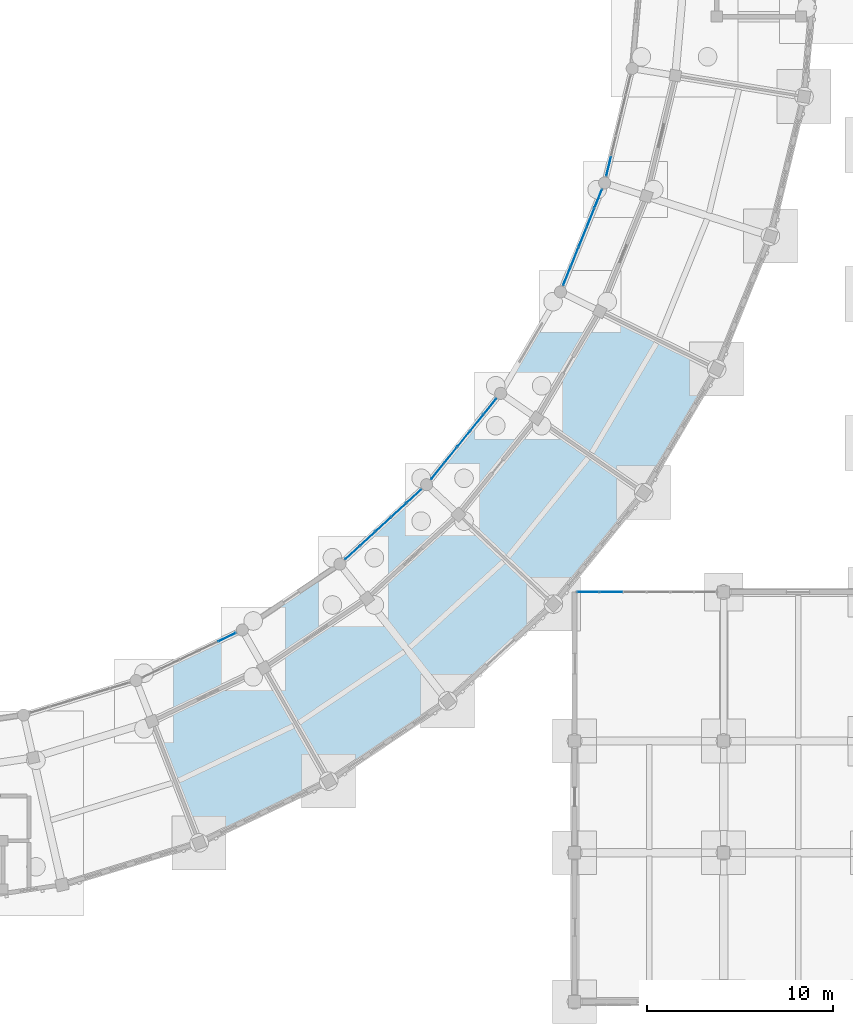
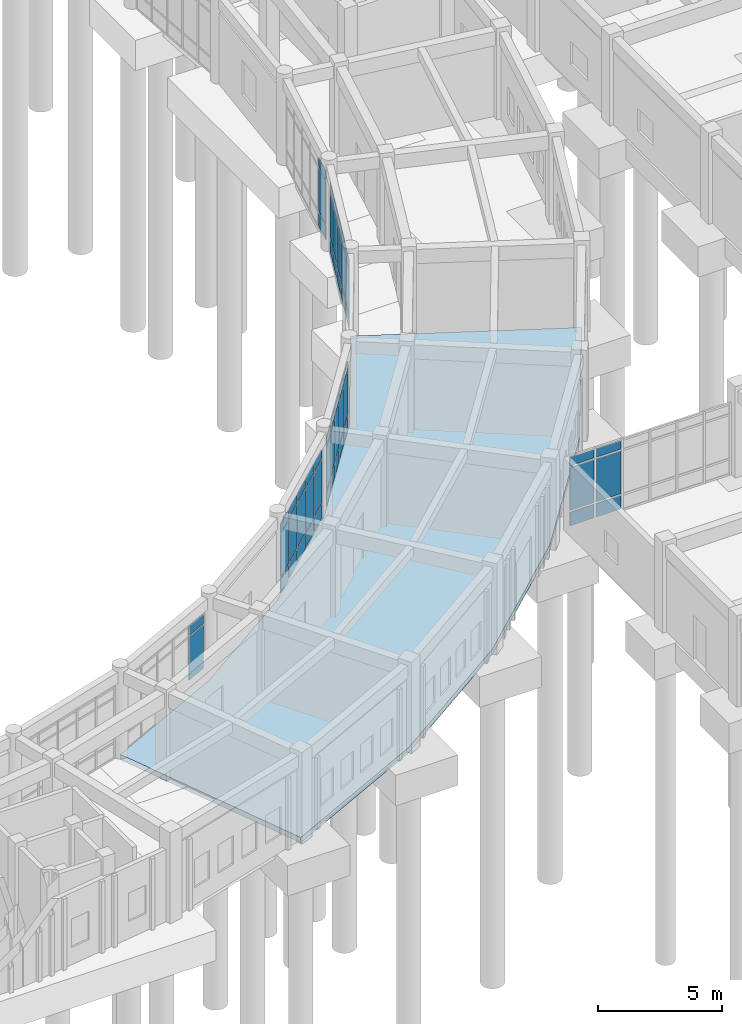
# One storey, part 106 of 153: 56 plates, 1 slab, 6 elements without a shape of their own.
"""IFC4 building model written with IfcOpenShell, lengths in metres."""

from ifc_helpers import new_model, si_unit, direction, frame, origin, origin_2d, place, context, subcontext, project, spatial, polyline, rectangle, outline, extrude, material, layer, layer_set, type_object, element, aggregate, save


model = new_model("IFC4")

# Units and contexts
model_context = context("Model", 3, precision=1e-05, world=origin(), true_north=direction((0.0, 1.0)))
body_context = subcontext(model_context, "Body", "Model", "MODEL_VIEW")
ifc_project = project(units=[si_unit("LENGTHUNIT", "METRE"), si_unit("AREAUNIT", "SQUARE_METRE"), si_unit("VOLUMEUNIT", "CUBIC_METRE"), si_unit("PLANEANGLEUNIT", "RADIAN"), si_unit("MASSUNIT", "GRAM", prefix="KILO")], contexts=[model_context])

# Site, building, storey
site_placement = place(None, origin())
site = spatial("IfcSite", under=ifc_project, at=site_placement, CompositionType="ELEMENT")
building_placement = place(site_placement, origin())
building = spatial("IfcBuilding", under=site, at=building_placement, Name="Celadon Cloister-Ring School", CompositionType="ELEMENT")
storey_placement = place(building_placement, origin())
storey = spatial("IfcBuildingStorey", under=building, at=storey_placement, Name="L00", CompositionType="ELEMENT", Elevation=0.0)

# Curtain wall, plates
ifc_material_1 = material(Name="Aluminium EN AW-6063 T6", Category="aluminium")
curtain_wall_type_1 = type_object("IfcCurtainWallType", Name="CW-10", PredefinedType="USERDEFINED", material=ifc_material_1)
curtain_wall_1_placement = place(storey_placement, origin())
curtain_wall_1 = element("IfcCurtainWall", 1, at=curtain_wall_1_placement, inside=storey, type_object=curtain_wall_type_1, Name="Curtain Wall 0189", ObjectType="CURTAIN WALL", PredefinedType="USERDEFINED")
ifc_material_2 = material(Name="Tempered laminated insulating glass", Category="glass")
ifc_layer_1 = layer(ifc_material_2, 0.02001953125)
ifc_layer_set_1 = layer_set([ifc_layer_1], Name="Tempered laminated insulating glass")
plate_type_1 = type_object("IfcPlateType", Name="CPN-01", PredefinedType="CURTAIN_PANEL", material=ifc_layer_set_1)
plate_1_placement = place(storey_placement, frame((126.71826171875, 24.0, 0.090087890625), z_axis=(0.0, 0.0, 1.0), x_axis=(1.0, 0.0, 0.0)))
plate_1 = element("IfcPlate", 2, at=plate_1_placement, type_object=plate_type_1, Name="CW-10 panel 1.1", PredefinedType="CURTAIN_PANEL", context=body_context, shape_type="SweptSolid", body=[
    extrude(rectangle(XDim=1.126708984375, YDim=0.02001953125, at=origin_2d()), origin(), (0.0, 0.0, 1.0), 0.6650390625),
])
plate_2_placement = place(storey_placement, frame((126.71826171875, 24.0, 0.8447265625), z_axis=(0.0, 0.0, 1.0), x_axis=(1.0, 0.0, 0.0)))
plate_2 = element("IfcPlate", 3, at=plate_2_placement, type_object=plate_type_1, Name="CW-10 panel 1.2", PredefinedType="CURTAIN_PANEL", context=body_context, shape_type="SweptSolid", body=[
    extrude(rectangle(XDim=1.126708984375, YDim=0.02001953125, at=origin_2d()), origin(), (0.0, 0.0, 1.0), 2.110107421875),
])
plate_3_placement = place(storey_placement, frame((126.71826171875, 24.0, 3.044921875), z_axis=(0.0, 0.0, 1.0), x_axis=(1.0, 0.0, 0.0)))
plate_3 = element("IfcPlate", 4, at=plate_3_placement, type_object=plate_type_1, Name="CW-10 panel 1.3", PredefinedType="CURTAIN_PANEL", context=body_context, shape_type="SweptSolid", body=[
    extrude(rectangle(XDim=1.126708984375, YDim=0.02001953125, at=origin_2d()), origin(), (0.0, 0.0, 1.0), 0.4150390625),
])
plate_4_placement = place(storey_placement, frame((127.9638671875, 24.0, 0.090087890625), z_axis=(0.0, 0.0, 1.0), x_axis=(1.0, 0.0, 0.0)))
plate_4 = element("IfcPlate", 5, at=plate_4_placement, type_object=plate_type_1, Name="CW-10 panel 2.1", PredefinedType="CURTAIN_PANEL", context=body_context, shape_type="SweptSolid", body=[
    extrude(rectangle(XDim=1.174072265625, YDim=0.02001953125, at=origin_2d()), origin(), (0.0, 0.0, 1.0), 0.6650390625),
])
plate_5_placement = place(storey_placement, frame((127.9638671875, 24.0, 0.8447265625), z_axis=(0.0, 0.0, 1.0), x_axis=(1.0, 0.0, 0.0)))
plate_5 = element("IfcPlate", 6, at=plate_5_placement, type_object=plate_type_1, Name="CW-10 panel 2.2", PredefinedType="CURTAIN_PANEL", context=body_context, shape_type="SweptSolid", body=[
    extrude(rectangle(XDim=1.174072265625, YDim=0.02001953125, at=origin_2d()), origin(), (0.0, 0.0, 1.0), 2.110107421875),
])
plate_6_placement = place(storey_placement, frame((127.9638671875, 24.0, 3.044921875), z_axis=(0.0, 0.0, 1.0), x_axis=(1.0, 0.0, 0.0)))
plate_6 = element("IfcPlate", 7, at=plate_6_placement, type_object=plate_type_1, Name="CW-10 panel 2.3", PredefinedType="CURTAIN_PANEL", context=body_context, shape_type="SweptSolid", body=[
    extrude(rectangle(XDim=1.174072265625, YDim=0.02001953125, at=origin_2d()), origin(), (0.0, 0.0, 1.0), 0.4150390625),
])
aggregate(curtain_wall_1, [plate_1, plate_2, plate_3, plate_4, plate_5, plate_6])

ifc_material_3 = material(Name="Aluminium EN AW-6063 T6", Category="aluminium")
curtain_wall_type_2 = type_object("IfcCurtainWallType", Name="CW-01", PredefinedType="USERDEFINED", material=ifc_material_3)
curtain_wall_2_placement = place(storey_placement, origin())
curtain_wall_2 = element("IfcCurtainWall", 8, at=curtain_wall_2_placement, inside=storey, type_object=curtain_wall_type_2, Name="Curtain Wall 0012", ObjectType="CURTAIN WALL", PredefinedType="USERDEFINED")
ifc_material_4 = material(Name="Tempered laminated insulating glass", Category="glass")
ifc_layer_2 = layer(ifc_material_4, 0.028076171875)
ifc_layer_set_2 = layer_set([ifc_layer_2], Name="Tempered laminated insulating glass")
plate_type_2 = type_object("IfcPlateType", Name="CPN-02", PredefinedType="CURTAIN_PANEL", material=ifc_layer_set_2)
plate_7_placement = place(storey_placement, frame((107.33203125, 21.573486328125, 0.83740234375), z_axis=(0.0, 0.0, 1.0), x_axis=(0.902733326361, 0.430200582842, 0.0)))
plate_7 = element("IfcPlate", 9, at=plate_7_placement, type_object=plate_type_2, Name="CW-01 panel 5.2", PredefinedType="CURTAIN_PANEL", context=body_context, shape_type="SweptSolid", body=[
    extrude(rectangle(XDim=1.013916015625, YDim=0.028076171875, at=origin_2d()), origin(), (0.0, 0.0, 1.0), 2.125),
])
plate_8_placement = place(storey_placement, frame((107.33203125, 21.573486328125, 3.03759765625), z_axis=(0.0, 0.0, 1.0), x_axis=(0.902733326361, 0.430200582842, 0.0)))
plate_8 = element("IfcPlate", 10, at=plate_8_placement, type_object=plate_type_2, Name="CW-01 panel 5.3", PredefinedType="CURTAIN_PANEL", context=body_context, shape_type="SweptSolid", body=[
    extrude(rectangle(XDim=1.013916015625, YDim=0.028076171875, at=origin_2d()), origin(), (0.0, 0.0, 1.0), 0.4375),
])
aggregate(curtain_wall_2, [plate_7, plate_8])

curtain_wall_3_placement = place(storey_placement, origin())
curtain_wall_3 = element("IfcCurtainWall", 11, at=curtain_wall_3_placement, inside=storey, type_object=curtain_wall_type_2, Name="Curtain Wall 0013", ObjectType="CURTAIN WALL", PredefinedType="USERDEFINED")
plate_9_placement = place(storey_placement, frame((114.066650390625, 26.113525390625, 0.074951171875), z_axis=(0.0, 0.0, 1.0), x_axis=(0.737388419905, 0.675468961678, 0.0)))
plate_9 = element("IfcPlate", 12, at=plate_9_placement, type_object=plate_type_2, Name="CW-01 panel 1.1", PredefinedType="CURTAIN_PANEL", context=body_context, shape_type="SweptSolid", body=[
    extrude(rectangle(XDim=1.013671875, YDim=0.028076171875, at=origin_2d()), origin(), (0.0, 0.0, 1.0), 0.6875),
])
plate_10_placement = place(storey_placement, frame((114.066650390625, 26.113525390625, 0.83740234375), z_axis=(0.0, 0.0, 1.0), x_axis=(0.737388419905, 0.675468961678, 0.0)))
plate_10 = element("IfcPlate", 13, at=plate_10_placement, type_object=plate_type_2, Name="CW-01 panel 1.2", PredefinedType="CURTAIN_PANEL", context=body_context, shape_type="SweptSolid", body=[
    extrude(rectangle(XDim=1.013671875, YDim=0.028076171875, at=origin_2d()), origin(), (0.0, 0.0, 1.0), 2.125),
])
plate_11_placement = place(storey_placement, frame((114.066650390625, 26.113525390625, 3.03759765625), z_axis=(0.0, 0.0, 1.0), x_axis=(0.737388419905, 0.675468961678, 0.0)))
plate_11 = element("IfcPlate", 14, at=plate_11_placement, type_object=plate_type_2, Name="CW-01 panel 1.3", PredefinedType="CURTAIN_PANEL", context=body_context, shape_type="SweptSolid", body=[
    extrude(rectangle(XDim=1.013671875, YDim=0.028076171875, at=origin_2d()), origin(), (0.0, 0.0, 1.0), 0.4375),
])
plate_12_placement = place(storey_placement, frame((114.887939453125, 26.86572265625, 0.074951171875), z_axis=(0.0, 0.0, 1.0), x_axis=(0.737388419905, 0.675468961678, 0.0)))
plate_12 = element("IfcPlate", 15, at=plate_12_placement, type_object=plate_type_2, Name="CW-01 panel 2.1", PredefinedType="CURTAIN_PANEL", context=body_context, shape_type="SweptSolid", body=[
    extrude(rectangle(XDim=1.0537109375, YDim=0.028076171875, at=origin_2d()), origin(), (0.0, 0.0, 1.0), 0.6875),
])
plate_13_placement = place(storey_placement, frame((114.887939453125, 26.86572265625, 0.83740234375), z_axis=(0.0, 0.0, 1.0), x_axis=(0.737388419905, 0.675468961678, 0.0)))
plate_13 = element("IfcPlate", 16, at=plate_13_placement, type_object=plate_type_2, Name="CW-01 panel 2.2", PredefinedType="CURTAIN_PANEL", context=body_context, shape_type="SweptSolid", body=[
    extrude(rectangle(XDim=1.0537109375, YDim=0.028076171875, at=origin_2d()), origin(), (0.0, 0.0, 1.0), 2.125),
])
plate_14_placement = place(storey_placement, frame((114.887939453125, 26.86572265625, 3.03759765625), z_axis=(0.0, 0.0, 1.0), x_axis=(0.737388419905, 0.675468961678, 0.0)))
plate_14 = element("IfcPlate", 17, at=plate_14_placement, type_object=plate_type_2, Name="CW-01 panel 2.3", PredefinedType="CURTAIN_PANEL", context=body_context, shape_type="SweptSolid", body=[
    extrude(rectangle(XDim=1.0537109375, YDim=0.028076171875, at=origin_2d()), origin(), (0.0, 0.0, 1.0), 0.4375),
])
plate_15_placement = place(storey_placement, frame((115.72412109375, 27.631591796875, 0.074951171875), z_axis=(0.0, 0.0, 1.0), x_axis=(0.737388419905, 0.675468961678, 0.0)))
plate_15 = element("IfcPlate", 18, at=plate_15_placement, type_object=plate_type_2, Name="CW-01 panel 3.1", PredefinedType="CURTAIN_PANEL", context=body_context, shape_type="SweptSolid", body=[
    extrude(rectangle(XDim=1.0537109375, YDim=0.028076171875, at=origin_2d()), origin(), (0.0, 0.0, 1.0), 0.6875),
])
plate_16_placement = place(storey_placement, frame((115.72412109375, 27.631591796875, 0.83740234375), z_axis=(0.0, 0.0, 1.0), x_axis=(0.737388419905, 0.675468961678, 0.0)))
plate_16 = element("IfcPlate", 19, at=plate_16_placement, type_object=plate_type_2, Name="CW-01 panel 3.2", PredefinedType="CURTAIN_PANEL", context=body_context, shape_type="SweptSolid", body=[
    extrude(rectangle(XDim=1.0537109375, YDim=0.028076171875, at=origin_2d()), origin(), (0.0, 0.0, 1.0), 2.125),
])
plate_17_placement = place(storey_placement, frame((115.72412109375, 27.631591796875, 3.03759765625), z_axis=(0.0, 0.0, 1.0), x_axis=(0.737388419905, 0.675468961678, 0.0)))
plate_17 = element("IfcPlate", 20, at=plate_17_placement, type_object=plate_type_2, Name="CW-01 panel 3.3", PredefinedType="CURTAIN_PANEL", context=body_context, shape_type="SweptSolid", body=[
    extrude(rectangle(XDim=1.0537109375, YDim=0.028076171875, at=origin_2d()), origin(), (0.0, 0.0, 1.0), 0.4375),
])
plate_18_placement = place(storey_placement, frame((116.56005859375, 28.397216796875, 0.074951171875), z_axis=(0.0, 0.0, 1.0), x_axis=(0.737388419905, 0.675468961678, 0.0)))
plate_18 = element("IfcPlate", 21, at=plate_18_placement, type_object=plate_type_2, Name="CW-01 panel 4.1", PredefinedType="CURTAIN_PANEL", context=body_context, shape_type="SweptSolid", body=[
    extrude(rectangle(XDim=1.0537109375, YDim=0.028076171875, at=origin_2d()), origin(), (0.0, 0.0, 1.0), 0.6875),
])
plate_19_placement = place(storey_placement, frame((116.56005859375, 28.397216796875, 0.83740234375), z_axis=(0.0, 0.0, 1.0), x_axis=(0.737388419905, 0.675468961678, 0.0)))
plate_19 = element("IfcPlate", 22, at=plate_19_placement, type_object=plate_type_2, Name="CW-01 panel 4.2", PredefinedType="CURTAIN_PANEL", context=body_context, shape_type="SweptSolid", body=[
    extrude(rectangle(XDim=1.0537109375, YDim=0.028076171875, at=origin_2d()), origin(), (0.0, 0.0, 1.0), 2.125),
])
plate_20_placement = place(storey_placement, frame((116.56005859375, 28.397216796875, 3.03759765625), z_axis=(0.0, 0.0, 1.0), x_axis=(0.737388419905, 0.675468961678, 0.0)))
plate_20 = element("IfcPlate", 23, at=plate_20_placement, type_object=plate_type_2, Name="CW-01 panel 4.3", PredefinedType="CURTAIN_PANEL", context=body_context, shape_type="SweptSolid", body=[
    extrude(rectangle(XDim=1.0537109375, YDim=0.028076171875, at=origin_2d()), origin(), (0.0, 0.0, 1.0), 0.4375),
])
plate_21_placement = place(storey_placement, frame((117.38134765625, 29.149658203125, 0.074951171875), z_axis=(0.0, 0.0, 1.0), x_axis=(0.737388419905, 0.675468961678, 0.0)))
plate_21 = element("IfcPlate", 24, at=plate_21_placement, type_object=plate_type_2, Name="CW-01 panel 5.1", PredefinedType="CURTAIN_PANEL", context=body_context, shape_type="SweptSolid", body=[
    extrude(rectangle(XDim=1.013671875, YDim=0.028076171875, at=origin_2d()), origin(), (0.0, 0.0, 1.0), 0.6875),
])
plate_22_placement = place(storey_placement, frame((117.38134765625, 29.149658203125, 0.83740234375), z_axis=(0.0, 0.0, 1.0), x_axis=(0.737388419905, 0.675468961678, 0.0)))
plate_22 = element("IfcPlate", 25, at=plate_22_placement, type_object=plate_type_2, Name="CW-01 panel 5.2", PredefinedType="CURTAIN_PANEL", context=body_context, shape_type="SweptSolid", body=[
    extrude(rectangle(XDim=1.013671875, YDim=0.028076171875, at=origin_2d()), origin(), (0.0, 0.0, 1.0), 2.125),
])
plate_23_placement = place(storey_placement, frame((117.38134765625, 29.149658203125, 3.03759765625), z_axis=(0.0, 0.0, 1.0), x_axis=(0.737388419905, 0.675468961678, 0.0)))
plate_23 = element("IfcPlate", 26, at=plate_23_placement, type_object=plate_type_2, Name="CW-01 panel 5.3", PredefinedType="CURTAIN_PANEL", context=body_context, shape_type="SweptSolid", body=[
    extrude(rectangle(XDim=1.013671875, YDim=0.028076171875, at=origin_2d()), origin(), (0.0, 0.0, 1.0), 0.4375),
])
aggregate(curtain_wall_3, [plate_9, plate_10, plate_11, plate_12, plate_13, plate_14, plate_15, plate_16, plate_17, plate_18, plate_19, plate_20, plate_21, plate_22, plate_23])

curtain_wall_4_placement = place(storey_placement, origin())
curtain_wall_4 = element("IfcCurtainWall", 27, at=curtain_wall_4_placement, inside=storey, type_object=curtain_wall_type_2, Name="Curtain Wall 0014", ObjectType="CURTAIN WALL", PredefinedType="USERDEFINED")
plate_24_placement = place(storey_placement, frame((118.62841796875, 30.47314453125, 0.074951171875), z_axis=(0.0, 0.0, 1.0), x_axis=(0.629416415615, 0.777068192474, 0.0)))
plate_24 = element("IfcPlate", 28, at=plate_24_placement, type_object=plate_type_2, Name="CW-01 panel 1.1", PredefinedType="CURTAIN_PANEL", context=body_context, shape_type="SweptSolid", body=[
    extrude(rectangle(XDim=1.013671875, YDim=0.028076171875, at=origin_2d()), origin(), (0.0, 0.0, 1.0), 0.6875),
])
plate_25_placement = place(storey_placement, frame((118.62841796875, 30.47314453125, 0.83740234375), z_axis=(0.0, 0.0, 1.0), x_axis=(0.629416415615, 0.777068192474, 0.0)))
plate_25 = element("IfcPlate", 29, at=plate_25_placement, type_object=plate_type_2, Name="CW-01 panel 1.2", PredefinedType="CURTAIN_PANEL", context=body_context, shape_type="SweptSolid", body=[
    extrude(rectangle(XDim=1.013671875, YDim=0.028076171875, at=origin_2d()), origin(), (0.0, 0.0, 1.0), 2.125),
])
plate_26_placement = place(storey_placement, frame((118.62841796875, 30.47314453125, 3.03759765625), z_axis=(0.0, 0.0, 1.0), x_axis=(0.629416415615, 0.777068192474, 0.0)))
plate_26 = element("IfcPlate", 30, at=plate_26_placement, type_object=plate_type_2, Name="CW-01 panel 1.3", PredefinedType="CURTAIN_PANEL", context=body_context, shape_type="SweptSolid", body=[
    extrude(rectangle(XDim=1.013671875, YDim=0.028076171875, at=origin_2d()), origin(), (0.0, 0.0, 1.0), 0.4375),
])
plate_27_placement = place(storey_placement, frame((119.329345703125, 31.33837890625, 0.074951171875), z_axis=(0.0, 0.0, 1.0), x_axis=(0.629416415615, 0.777068192474, 0.0)))
plate_27 = element("IfcPlate", 31, at=plate_27_placement, type_object=plate_type_2, Name="CW-01 panel 2.1", PredefinedType="CURTAIN_PANEL", context=body_context, shape_type="SweptSolid", body=[
    extrude(rectangle(XDim=1.0537109375, YDim=0.028076171875, at=origin_2d()), origin(), (0.0, 0.0, 1.0), 0.6875),
])
plate_28_placement = place(storey_placement, frame((119.329345703125, 31.33837890625, 0.83740234375), z_axis=(0.0, 0.0, 1.0), x_axis=(0.629416415615, 0.777068192474, 0.0)))
plate_28 = element("IfcPlate", 32, at=plate_28_placement, type_object=plate_type_2, Name="CW-01 panel 2.2", PredefinedType="CURTAIN_PANEL", context=body_context, shape_type="SweptSolid", body=[
    extrude(rectangle(XDim=1.0537109375, YDim=0.028076171875, at=origin_2d()), origin(), (0.0, 0.0, 1.0), 2.125),
])
plate_29_placement = place(storey_placement, frame((119.329345703125, 31.33837890625, 3.03759765625), z_axis=(0.0, 0.0, 1.0), x_axis=(0.629416415615, 0.777068192474, 0.0)))
plate_29 = element("IfcPlate", 33, at=plate_29_placement, type_object=plate_type_2, Name="CW-01 panel 2.3", PredefinedType="CURTAIN_PANEL", context=body_context, shape_type="SweptSolid", body=[
    extrude(rectangle(XDim=1.0537109375, YDim=0.028076171875, at=origin_2d()), origin(), (0.0, 0.0, 1.0), 0.4375),
])
plate_30_placement = place(storey_placement, frame((120.04296875, 32.219482421875, 0.074951171875), z_axis=(0.0, 0.0, 1.0), x_axis=(0.629416415615, 0.777068192474, 0.0)))
plate_30 = element("IfcPlate", 34, at=plate_30_placement, type_object=plate_type_2, Name="CW-01 panel 3.1", PredefinedType="CURTAIN_PANEL", context=body_context, shape_type="SweptSolid", body=[
    extrude(rectangle(XDim=1.0537109375, YDim=0.028076171875, at=origin_2d()), origin(), (0.0, 0.0, 1.0), 0.6875),
])
plate_31_placement = place(storey_placement, frame((120.04296875, 32.219482421875, 0.83740234375), z_axis=(0.0, 0.0, 1.0), x_axis=(0.629416415615, 0.777068192474, 0.0)))
plate_31 = element("IfcPlate", 35, at=plate_31_placement, type_object=plate_type_2, Name="CW-01 panel 3.2", PredefinedType="CURTAIN_PANEL", context=body_context, shape_type="SweptSolid", body=[
    extrude(rectangle(XDim=1.0537109375, YDim=0.028076171875, at=origin_2d()), origin(), (0.0, 0.0, 1.0), 2.125),
])
plate_32_placement = place(storey_placement, frame((120.04296875, 32.219482421875, 3.03759765625), z_axis=(0.0, 0.0, 1.0), x_axis=(0.629416415615, 0.777068192474, 0.0)))
plate_32 = element("IfcPlate", 36, at=plate_32_placement, type_object=plate_type_2, Name="CW-01 panel 3.3", PredefinedType="CURTAIN_PANEL", context=body_context, shape_type="SweptSolid", body=[
    extrude(rectangle(XDim=1.0537109375, YDim=0.028076171875, at=origin_2d()), origin(), (0.0, 0.0, 1.0), 0.4375),
])
plate_33_placement = place(storey_placement, frame((120.756591796875, 33.1005859375, 0.074951171875), z_axis=(0.0, 0.0, 1.0), x_axis=(0.629416415615, 0.777068192474, 0.0)))
plate_33 = element("IfcPlate", 37, at=plate_33_placement, type_object=plate_type_2, Name="CW-01 panel 4.1", PredefinedType="CURTAIN_PANEL", context=body_context, shape_type="SweptSolid", body=[
    extrude(rectangle(XDim=1.0537109375, YDim=0.028076171875, at=origin_2d()), origin(), (0.0, 0.0, 1.0), 0.6875),
])
plate_34_placement = place(storey_placement, frame((120.756591796875, 33.1005859375, 0.83740234375), z_axis=(0.0, 0.0, 1.0), x_axis=(0.629416415615, 0.777068192474, 0.0)))
plate_34 = element("IfcPlate", 38, at=plate_34_placement, type_object=plate_type_2, Name="CW-01 panel 4.2", PredefinedType="CURTAIN_PANEL", context=body_context, shape_type="SweptSolid", body=[
    extrude(rectangle(XDim=1.0537109375, YDim=0.028076171875, at=origin_2d()), origin(), (0.0, 0.0, 1.0), 2.125),
])
plate_35_placement = place(storey_placement, frame((120.756591796875, 33.1005859375, 3.03759765625), z_axis=(0.0, 0.0, 1.0), x_axis=(0.629416415615, 0.777068192474, 0.0)))
plate_35 = element("IfcPlate", 39, at=plate_35_placement, type_object=plate_type_2, Name="CW-01 panel 4.3", PredefinedType="CURTAIN_PANEL", context=body_context, shape_type="SweptSolid", body=[
    extrude(rectangle(XDim=1.0537109375, YDim=0.028076171875, at=origin_2d()), origin(), (0.0, 0.0, 1.0), 0.4375),
])
plate_36_placement = place(storey_placement, frame((121.45751953125, 33.966064453125, 0.074951171875), z_axis=(0.0, 0.0, 1.0), x_axis=(0.629416415615, 0.777068192474, 0.0)))
plate_36 = element("IfcPlate", 40, at=plate_36_placement, type_object=plate_type_2, Name="CW-01 panel 5.1", PredefinedType="CURTAIN_PANEL", context=body_context, shape_type="SweptSolid", body=[
    extrude(rectangle(XDim=1.013671875, YDim=0.028076171875, at=origin_2d()), origin(), (0.0, 0.0, 1.0), 0.6875),
])
plate_37_placement = place(storey_placement, frame((121.45751953125, 33.966064453125, 0.83740234375), z_axis=(0.0, 0.0, 1.0), x_axis=(0.629416415615, 0.777068192474, 0.0)))
plate_37 = element("IfcPlate", 41, at=plate_37_placement, type_object=plate_type_2, Name="CW-01 panel 5.2", PredefinedType="CURTAIN_PANEL", context=body_context, shape_type="SweptSolid", body=[
    extrude(rectangle(XDim=1.013671875, YDim=0.028076171875, at=origin_2d()), origin(), (0.0, 0.0, 1.0), 2.125),
])
plate_38_placement = place(storey_placement, frame((121.45751953125, 33.966064453125, 3.03759765625), z_axis=(0.0, 0.0, 1.0), x_axis=(0.629416415615, 0.777068192474, 0.0)))
plate_38 = element("IfcPlate", 42, at=plate_38_placement, type_object=plate_type_2, Name="CW-01 panel 5.3", PredefinedType="CURTAIN_PANEL", context=body_context, shape_type="SweptSolid", body=[
    extrude(rectangle(XDim=1.013671875, YDim=0.028076171875, at=origin_2d()), origin(), (0.0, 0.0, 1.0), 0.4375),
])
aggregate(curtain_wall_4, [plate_24, plate_25, plate_26, plate_27, plate_28, plate_29, plate_30, plate_31, plate_32, plate_33, plate_34, plate_35, plate_36, plate_37, plate_38])

curtain_wall_5_placement = place(storey_placement, origin())
curtain_wall_5 = element("IfcCurtainWall", 43, at=curtain_wall_5_placement, inside=storey, type_object=curtain_wall_type_2, Name="Curtain Wall 0015", ObjectType="CURTAIN WALL", PredefinedType="USERDEFINED")
plate_39_placement = place(storey_placement, frame((125.583984375, 40.9609375, 0.074951171875), z_axis=(0.0, 0.0, 1.0), x_axis=(0.375037570843, 0.927009611847, 0.0)))
plate_39 = element("IfcPlate", 44, at=plate_39_placement, type_object=plate_type_2, Name="CW-01 panel 1.1", PredefinedType="CURTAIN_PANEL", context=body_context, shape_type="SweptSolid", body=[
    extrude(rectangle(XDim=1.013671875, YDim=0.028076171875, at=origin_2d()), origin(), (0.0, 0.0, 1.0), 0.6875),
])
plate_40_placement = place(storey_placement, frame((125.583984375, 40.9609375, 0.83740234375), z_axis=(0.0, 0.0, 1.0), x_axis=(0.375037570843, 0.927009611847, 0.0)))
plate_40 = element("IfcPlate", 45, at=plate_40_placement, type_object=plate_type_2, Name="CW-01 panel 1.2", PredefinedType="CURTAIN_PANEL", context=body_context, shape_type="SweptSolid", body=[
    extrude(rectangle(XDim=1.013671875, YDim=0.028076171875, at=origin_2d()), origin(), (0.0, 0.0, 1.0), 2.125),
])
plate_41_placement = place(storey_placement, frame((125.583984375, 40.9609375, 3.03759765625), z_axis=(0.0, 0.0, 1.0), x_axis=(0.375037570843, 0.927009611847, 0.0)))
plate_41 = element("IfcPlate", 46, at=plate_41_placement, type_object=plate_type_2, Name="CW-01 panel 1.3", PredefinedType="CURTAIN_PANEL", context=body_context, shape_type="SweptSolid", body=[
    extrude(rectangle(XDim=1.013671875, YDim=0.028076171875, at=origin_2d()), origin(), (0.0, 0.0, 1.0), 0.4375),
])
plate_42_placement = place(storey_placement, frame((126.001708984375, 41.993408203125, 0.074951171875), z_axis=(0.0, 0.0, 1.0), x_axis=(0.375037570843, 0.927009611847, 0.0)))
plate_42 = element("IfcPlate", 47, at=plate_42_placement, type_object=plate_type_2, Name="CW-01 panel 2.1", PredefinedType="CURTAIN_PANEL", context=body_context, shape_type="SweptSolid", body=[
    extrude(rectangle(XDim=1.0537109375, YDim=0.028076171875, at=origin_2d()), origin(), (0.0, 0.0, 1.0), 0.6875),
])
plate_43_placement = place(storey_placement, frame((126.001708984375, 41.993408203125, 0.83740234375), z_axis=(0.0, 0.0, 1.0), x_axis=(0.375037570843, 0.927009611847, 0.0)))
plate_43 = element("IfcPlate", 48, at=plate_43_placement, type_object=plate_type_2, Name="CW-01 panel 2.2", PredefinedType="CURTAIN_PANEL", context=body_context, shape_type="SweptSolid", body=[
    extrude(rectangle(XDim=1.0537109375, YDim=0.028076171875, at=origin_2d()), origin(), (0.0, 0.0, 1.0), 2.125),
])
plate_44_placement = place(storey_placement, frame((126.001708984375, 41.993408203125, 3.03759765625), z_axis=(0.0, 0.0, 1.0), x_axis=(0.375037570843, 0.927009611847, 0.0)))
plate_44 = element("IfcPlate", 49, at=plate_44_placement, type_object=plate_type_2, Name="CW-01 panel 2.3", PredefinedType="CURTAIN_PANEL", context=body_context, shape_type="SweptSolid", body=[
    extrude(rectangle(XDim=1.0537109375, YDim=0.028076171875, at=origin_2d()), origin(), (0.0, 0.0, 1.0), 0.4375),
])
plate_45_placement = place(storey_placement, frame((126.427001953125, 43.04443359375, 0.074951171875), z_axis=(0.0, 0.0, 1.0), x_axis=(0.375037570843, 0.927009611847, 0.0)))
plate_45 = element("IfcPlate", 50, at=plate_45_placement, type_object=plate_type_2, Name="CW-01 panel 3.1", PredefinedType="CURTAIN_PANEL", context=body_context, shape_type="SweptSolid", body=[
    extrude(rectangle(XDim=1.0537109375, YDim=0.028076171875, at=origin_2d()), origin(), (0.0, 0.0, 1.0), 0.6875),
])
plate_46_placement = place(storey_placement, frame((126.427001953125, 43.04443359375, 0.83740234375), z_axis=(0.0, 0.0, 1.0), x_axis=(0.375037570843, 0.927009611847, 0.0)))
plate_46 = element("IfcPlate", 51, at=plate_46_placement, type_object=plate_type_2, Name="CW-01 panel 3.2", PredefinedType="CURTAIN_PANEL", context=body_context, shape_type="SweptSolid", body=[
    extrude(rectangle(XDim=1.0537109375, YDim=0.028076171875, at=origin_2d()), origin(), (0.0, 0.0, 1.0), 2.125),
])
plate_47_placement = place(storey_placement, frame((126.427001953125, 43.04443359375, 3.03759765625), z_axis=(0.0, 0.0, 1.0), x_axis=(0.375037570843, 0.927009611847, 0.0)))
plate_47 = element("IfcPlate", 52, at=plate_47_placement, type_object=plate_type_2, Name="CW-01 panel 3.3", PredefinedType="CURTAIN_PANEL", context=body_context, shape_type="SweptSolid", body=[
    extrude(rectangle(XDim=1.0537109375, YDim=0.028076171875, at=origin_2d()), origin(), (0.0, 0.0, 1.0), 0.4375),
])
plate_48_placement = place(storey_placement, frame((126.852294921875, 44.095458984375, 0.074951171875), z_axis=(0.0, 0.0, 1.0), x_axis=(0.375037570843, 0.927009611847, 0.0)))
plate_48 = element("IfcPlate", 53, at=plate_48_placement, type_object=plate_type_2, Name="CW-01 panel 4.1", PredefinedType="CURTAIN_PANEL", context=body_context, shape_type="SweptSolid", body=[
    extrude(rectangle(XDim=1.0537109375, YDim=0.028076171875, at=origin_2d()), origin(), (0.0, 0.0, 1.0), 0.6875),
])
plate_49_placement = place(storey_placement, frame((126.852294921875, 44.095458984375, 0.83740234375), z_axis=(0.0, 0.0, 1.0), x_axis=(0.375037570843, 0.927009611847, 0.0)))
plate_49 = element("IfcPlate", 54, at=plate_49_placement, type_object=plate_type_2, Name="CW-01 panel 4.2", PredefinedType="CURTAIN_PANEL", context=body_context, shape_type="SweptSolid", body=[
    extrude(rectangle(XDim=1.0537109375, YDim=0.028076171875, at=origin_2d()), origin(), (0.0, 0.0, 1.0), 2.125),
])
plate_50_placement = place(storey_placement, frame((126.852294921875, 44.095458984375, 3.03759765625), z_axis=(0.0, 0.0, 1.0), x_axis=(0.375037570843, 0.927009611847, 0.0)))
plate_50 = element("IfcPlate", 55, at=plate_50_placement, type_object=plate_type_2, Name="CW-01 panel 4.3", PredefinedType="CURTAIN_PANEL", context=body_context, shape_type="SweptSolid", body=[
    extrude(rectangle(XDim=1.0537109375, YDim=0.028076171875, at=origin_2d()), origin(), (0.0, 0.0, 1.0), 0.4375),
])
plate_51_placement = place(storey_placement, frame((127.27001953125, 45.1279296875, 0.074951171875), z_axis=(0.0, 0.0, 1.0), x_axis=(0.375037570843, 0.927009611847, 0.0)))
plate_51 = element("IfcPlate", 56, at=plate_51_placement, type_object=plate_type_2, Name="CW-01 panel 5.1", PredefinedType="CURTAIN_PANEL", context=body_context, shape_type="SweptSolid", body=[
    extrude(rectangle(XDim=1.013671875, YDim=0.028076171875, at=origin_2d()), origin(), (0.0, 0.0, 1.0), 0.6875),
])
plate_52_placement = place(storey_placement, frame((127.27001953125, 45.1279296875, 0.83740234375), z_axis=(0.0, 0.0, 1.0), x_axis=(0.375037570843, 0.927009611847, 0.0)))
plate_52 = element("IfcPlate", 57, at=plate_52_placement, type_object=plate_type_2, Name="CW-01 panel 5.2", PredefinedType="CURTAIN_PANEL", context=body_context, shape_type="SweptSolid", body=[
    extrude(rectangle(XDim=1.013671875, YDim=0.028076171875, at=origin_2d()), origin(), (0.0, 0.0, 1.0), 2.125),
])
plate_53_placement = place(storey_placement, frame((127.27001953125, 45.1279296875, 3.03759765625), z_axis=(0.0, 0.0, 1.0), x_axis=(0.375037570843, 0.927009611847, 0.0)))
plate_53 = element("IfcPlate", 58, at=plate_53_placement, type_object=plate_type_2, Name="CW-01 panel 5.3", PredefinedType="CURTAIN_PANEL", context=body_context, shape_type="SweptSolid", body=[
    extrude(rectangle(XDim=1.013671875, YDim=0.028076171875, at=origin_2d()), origin(), (0.0, 0.0, 1.0), 0.4375),
])
aggregate(curtain_wall_5, [plate_39, plate_40, plate_41, plate_42, plate_43, plate_44, plate_45, plate_46, plate_47, plate_48, plate_49, plate_50, plate_51, plate_52, plate_53])

curtain_wall_6_placement = place(storey_placement, origin())
curtain_wall_6 = element("IfcCurtainWall", 59, at=curtain_wall_6_placement, inside=storey, type_object=curtain_wall_type_2, Name="Curtain Wall 0016", ObjectType="CURTAIN WALL", PredefinedType="USERDEFINED")
plate_54_placement = place(storey_placement, frame((127.825439453125, 46.859619140625, 0.074951171875), z_axis=(0.0, 0.0, 1.0), x_axis=(0.234100157469, 0.972212485146, 0.0)))
plate_54 = element("IfcPlate", 60, at=plate_54_placement, type_object=plate_type_2, Name="CW-01 panel 1.1", PredefinedType="CURTAIN_PANEL", context=body_context, shape_type="SweptSolid", body=[
    extrude(rectangle(XDim=1.013671875, YDim=0.028076171875, at=origin_2d()), origin(), (0.0, 0.0, 1.0), 0.6875),
])
plate_55_placement = place(storey_placement, frame((127.825439453125, 46.859619140625, 0.83740234375), z_axis=(0.0, 0.0, 1.0), x_axis=(0.234100157469, 0.972212485146, 0.0)))
plate_55 = element("IfcPlate", 61, at=plate_55_placement, type_object=plate_type_2, Name="CW-01 panel 1.2", PredefinedType="CURTAIN_PANEL", context=body_context, shape_type="SweptSolid", body=[
    extrude(rectangle(XDim=1.013671875, YDim=0.028076171875, at=origin_2d()), origin(), (0.0, 0.0, 1.0), 2.125),
])
plate_56_placement = place(storey_placement, frame((127.825439453125, 46.859619140625, 3.03759765625), z_axis=(0.0, 0.0, 1.0), x_axis=(0.234100157469, 0.972212485146, 0.0)))
plate_56 = element("IfcPlate", 62, at=plate_56_placement, type_object=plate_type_2, Name="CW-01 panel 1.3", PredefinedType="CURTAIN_PANEL", context=body_context, shape_type="SweptSolid", body=[
    extrude(rectangle(XDim=1.013671875, YDim=0.028076171875, at=origin_2d()), origin(), (0.0, 0.0, 1.0), 0.4375),
])
aggregate(curtain_wall_6, [plate_54, plate_55, plate_56])

# Slab
ifc_material_5 = material(Name="Concrete C35/45", Category="concrete")
ifc_layer_3 = layer(ifc_material_5, 0.260009765625)
ifc_layer_set_3 = layer_set([ifc_layer_3], Name="Concrete C35/45")
slab_type = type_object("IfcSlabType", Name="SL-BS1", PredefinedType="BASESLAB", material=ifc_layer_set_3)
slab_placement = place(storey_placement, frame((0.0, 0.0, -0.260009765625)))
element("IfcSlab", 63, at=slab_placement, inside=storey, type_object=slab_type, Name="Ring L00 Sector 0005", PredefinedType="BASESLAB", context=body_context, shape_type="SweptSolid", body=[
    extrude(outline(polyline([(105.837890625, 10.531982421875), (112.7919921875, 13.846923828125), (119.179931640625, 18.153076171875), (124.862060546875, 23.35595703125), (129.7119140625, 29.341064453125), (133.625, 35.97705078125), (125.241943359375, 40.115966796875), (122.031982421875, 34.674072265625), (118.053955078125, 29.764892578125), (113.39404296875, 25.498046875), (108.155029296875, 21.966064453125), (102.450927734375, 19.2470703125), (105.837890625, 10.531982421875)])), origin(), (0.0, 0.0, 1.0), 0.260009765625),
])

save(model, "model.ifc")
